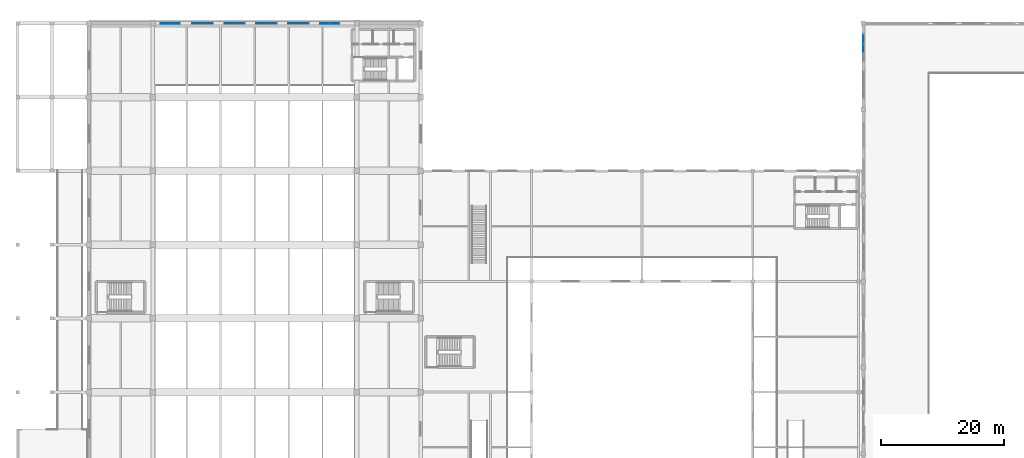
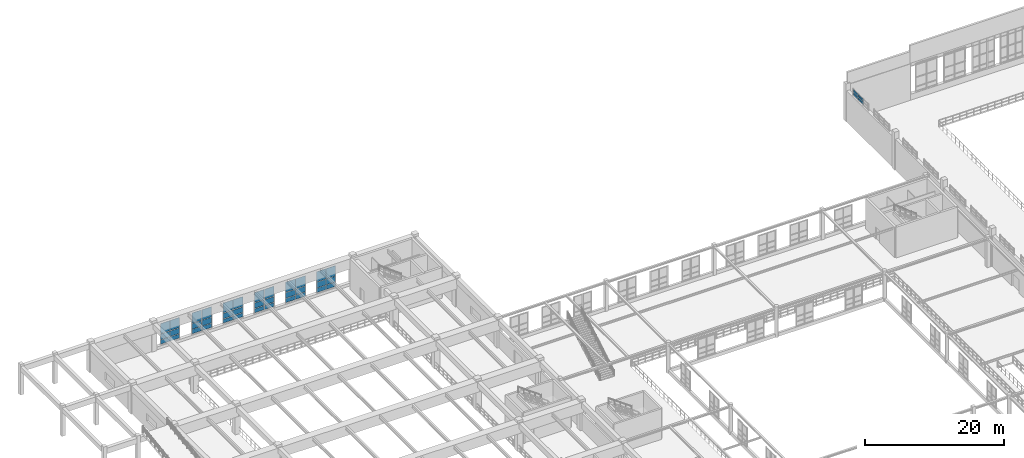
# One storey, part 167 of 197: 40 plates, 7 elements without a shape of their own.
"""IFC4 building model written with IfcOpenShell, lengths in metres."""

from ifc_helpers import new_model, si_unit, derived_unit, direction, frame, origin, origin_2d, place, context, subcontext, project, spatial, rectangle, extrude, material, layer, layer_set, type_object, element, aggregate, save


model = new_model("IFC4")

# Units and contexts
model_context = context("Model", 3, precision=1e-05, world=origin(), true_north=direction((0.0, 1.0)))
body_context = subcontext(model_context, "Body", "Model", "MODEL_VIEW")
ifc_project = project(units=[si_unit("LENGTHUNIT", "METRE"), si_unit("AREAUNIT", "SQUARE_METRE"), si_unit("VOLUMEUNIT", "CUBIC_METRE"), si_unit("PLANEANGLEUNIT", "RADIAN"), si_unit("MASSUNIT", "GRAM", prefix="KILO"), derived_unit("THERMALTRANSMITTANCEUNIT", [(si_unit("POWERUNIT", "WATT"), 1), (si_unit("LENGTHUNIT", "METRE"), -2), (si_unit("THERMODYNAMICTEMPERATUREUNIT", "KELVIN"), -1)])], contexts=[model_context])

# Site, building, storey
site_placement = place(None, origin())
site = spatial("IfcSite", under=ifc_project, at=site_placement, CompositionType="ELEMENT")
building_placement = place(site_placement, origin())
building = spatial("IfcBuilding", under=site, at=building_placement, Name="Almenara Railside Exhibition Hall", CompositionType="ELEMENT")
storey_placement = place(building_placement, frame((0.0, 0.0, 5.39990234375)))
storey = spatial("IfcBuildingStorey", under=building, at=storey_placement, Name="L01", CompositionType="ELEMENT", Elevation=5.39990234375)

# Curtain wall, plates
ifc_material_1 = material(Name="Bronze-anodised aluminium and low-E double glazing", Category="aluminium")
ifc_layer_1 = layer(ifc_material_1, 0.179931640625, Name="Bronze-anodised aluminium and low-E double glazing")
ifc_layer_set_1 = layer_set([ifc_layer_1], Name="Bronze-anodised aluminium and low-E double glazing")
curtain_wall_type_1 = type_object("IfcCurtainWallType", Name="Scroll Gable Mid Curtain Wall 3400x4400", PredefinedType="NOTDEFINED", material=ifc_layer_set_1)
curtain_wall_1_placement = place(storey_placement, origin())
curtain_wall_1 = element("IfcCurtainWall", 1, at=curtain_wall_1_placement, inside=storey, type_object=curtain_wall_type_1, Name="Curtain wall CW-G3-040", PredefinedType="NOTDEFINED")
ifc_material_2 = material(Name="Solar-control acoustic laminated glazing", Category="glass")
ifc_layer_2 = layer(ifc_material_2, 0.031982421875, Name="Solar-control acoustic laminated glazing")
ifc_layer_set_2 = layer_set([ifc_layer_2], Name="Solar-control acoustic laminated glazing")
plate_type_1 = type_object("IfcPlateType", Name="Acoustic Low-E Double Glazing Panel 32mm", PredefinedType="CURTAIN_PANEL", material=ifc_layer_set_2)
plate_1_placement = place(storey_placement, frame((34.867431640625, 132.0, 0.64404296875), z_axis=(0.0, 0.0, 1.0), x_axis=(1.0, 0.0, 0.0)))
plate_1 = element("IfcPlate", 2, at=plate_1_placement, type_object=plate_type_1, Name="CW-G3-040 panel 1.1", PredefinedType="CURTAIN_PANEL", context=body_context, shape_type="SweptSolid", body=[
    extrude(rectangle(XDim=1.611083984375, YDim=0.031982421875, at=origin_2d()), origin(), (0.0, 0.0, 1.0), 0.64208984375),
])
plate_2_placement = place(storey_placement, frame((34.867431640625, 132.0, 1.4140625), z_axis=(0.0, 0.0, 1.0), x_axis=(1.0, 0.0, 0.0)))
plate_2 = element("IfcPlate", 3, at=plate_2_placement, type_object=plate_type_1, Name="CW-G3-040 panel 1.2", PredefinedType="CURTAIN_PANEL", context=body_context, shape_type="SweptSolid", body=[
    extrude(rectangle(XDim=1.611083984375, YDim=0.031982421875, at=origin_2d()), origin(), (0.0, 0.0, 1.0), 0.922119140625),
])
plate_3_placement = place(storey_placement, frame((34.867431640625, 132.0, 2.464111328125), z_axis=(0.0, 0.0, 1.0), x_axis=(1.0, 0.0, 0.0)))
plate_3 = element("IfcPlate", 4, at=plate_3_placement, type_object=plate_type_1, Name="CW-G3-040 panel 1.3", PredefinedType="CURTAIN_PANEL", context=body_context, shape_type="SweptSolid", body=[
    extrude(rectangle(XDim=1.611083984375, YDim=0.031982421875, at=origin_2d()), origin(), (0.0, 0.0, 1.0), 1.69189453125),
])
plate_4_placement = place(storey_placement, frame((36.532470703125, 132.0, 0.64404296875), z_axis=(0.0, 0.0, 1.0), x_axis=(1.0, 0.0, 0.0)))
plate_4 = element("IfcPlate", 5, at=plate_4_placement, type_object=plate_type_1, Name="CW-G3-040 panel 2.1", PredefinedType="CURTAIN_PANEL", context=body_context, shape_type="SweptSolid", body=[
    extrude(rectangle(XDim=1.611083984375, YDim=0.031982421875, at=origin_2d()), origin(), (0.0, 0.0, 1.0), 0.64208984375),
])
plate_5_placement = place(storey_placement, frame((36.532470703125, 132.0, 1.4140625), z_axis=(0.0, 0.0, 1.0), x_axis=(1.0, 0.0, 0.0)))
plate_5 = element("IfcPlate", 6, at=plate_5_placement, type_object=plate_type_1, Name="CW-G3-040 panel 2.2", PredefinedType="CURTAIN_PANEL", context=body_context, shape_type="SweptSolid", body=[
    extrude(rectangle(XDim=1.611083984375, YDim=0.031982421875, at=origin_2d()), origin(), (0.0, 0.0, 1.0), 0.922119140625),
])
plate_6_placement = place(storey_placement, frame((36.532470703125, 132.0, 2.464111328125), z_axis=(0.0, 0.0, 1.0), x_axis=(1.0, 0.0, 0.0)))
plate_6 = element("IfcPlate", 7, at=plate_6_placement, type_object=plate_type_1, Name="CW-G3-040 panel 2.3", PredefinedType="CURTAIN_PANEL", context=body_context, shape_type="SweptSolid", body=[
    extrude(rectangle(XDim=1.611083984375, YDim=0.031982421875, at=origin_2d()), origin(), (0.0, 0.0, 1.0), 1.69189453125),
])
aggregate(curtain_wall_1, [plate_1, plate_2, plate_3, plate_4, plate_5, plate_6])

curtain_wall_2_placement = place(storey_placement, origin())
curtain_wall_2 = element("IfcCurtainWall", 8, at=curtain_wall_2_placement, inside=storey, type_object=curtain_wall_type_1, Name="Curtain wall CW-G3-042", PredefinedType="NOTDEFINED")
ifc_material_3 = material(Name="Clear low-E laminated double glazing", Category="glass")
ifc_layer_3 = layer(ifc_material_3, 0.02392578125, Name="Clear low-E laminated double glazing")
ifc_layer_set_3 = layer_set([ifc_layer_3], Name="Clear low-E laminated double glazing")
plate_type_2 = type_object("IfcPlateType", Name="Courtyard Clear Double Glazing Panel 24mm", PredefinedType="CURTAIN_PANEL", material=ifc_layer_set_3)
plate_7_placement = place(storey_placement, frame((45.264892578125, 132.0, 0.59423828125), z_axis=(0.0, 0.0, 1.0), x_axis=(1.0, 0.0, 0.0)))
plate_7 = element("IfcPlate", 9, at=plate_7_placement, type_object=plate_type_2, Name="CW-G3-042 panel 1.1", PredefinedType="CURTAIN_PANEL", context=body_context, shape_type="SweptSolid", body=[
    extrude(rectangle(XDim=1.6259765625, YDim=0.02392578125, at=origin_2d()), origin(), (0.0, 0.0, 1.0), 0.717041015625),
])
plate_8_placement = place(storey_placement, frame((45.264892578125, 132.0, 1.38916015625), z_axis=(0.0, 0.0, 1.0), x_axis=(1.0, 0.0, 0.0)))
plate_8 = element("IfcPlate", 10, at=plate_8_placement, type_object=plate_type_2, Name="CW-G3-042 panel 1.2", PredefinedType="CURTAIN_PANEL", context=body_context, shape_type="SweptSolid", body=[
    extrude(rectangle(XDim=1.6259765625, YDim=0.02392578125, at=origin_2d()), origin(), (0.0, 0.0, 1.0), 0.971923828125),
])
plate_9_placement = place(storey_placement, frame((45.264892578125, 132.0, 2.43896484375), z_axis=(0.0, 0.0, 1.0), x_axis=(1.0, 0.0, 0.0)))
plate_9 = element("IfcPlate", 11, at=plate_9_placement, type_object=plate_type_2, Name="CW-G3-042 panel 1.3", PredefinedType="CURTAIN_PANEL", context=body_context, shape_type="SweptSolid", body=[
    extrude(rectangle(XDim=1.6259765625, YDim=0.02392578125, at=origin_2d()), origin(), (0.0, 0.0, 1.0), 1.76708984375),
])
plate_10_placement = place(storey_placement, frame((46.93505859375, 132.0, 0.59423828125), z_axis=(0.0, 0.0, 1.0), x_axis=(1.0, 0.0, 0.0)))
plate_10 = element("IfcPlate", 12, at=plate_10_placement, type_object=plate_type_2, Name="CW-G3-042 panel 2.1", PredefinedType="CURTAIN_PANEL", context=body_context, shape_type="SweptSolid", body=[
    extrude(rectangle(XDim=1.6259765625, YDim=0.02392578125, at=origin_2d()), origin(), (0.0, 0.0, 1.0), 0.717041015625),
])
plate_11_placement = place(storey_placement, frame((46.93505859375, 132.0, 1.38916015625), z_axis=(0.0, 0.0, 1.0), x_axis=(1.0, 0.0, 0.0)))
plate_11 = element("IfcPlate", 13, at=plate_11_placement, type_object=plate_type_2, Name="CW-G3-042 panel 2.2", PredefinedType="CURTAIN_PANEL", context=body_context, shape_type="SweptSolid", body=[
    extrude(rectangle(XDim=1.6259765625, YDim=0.02392578125, at=origin_2d()), origin(), (0.0, 0.0, 1.0), 0.971923828125),
])
plate_12_placement = place(storey_placement, frame((46.93505859375, 132.0, 2.43896484375), z_axis=(0.0, 0.0, 1.0), x_axis=(1.0, 0.0, 0.0)))
plate_12 = element("IfcPlate", 14, at=plate_12_placement, type_object=plate_type_2, Name="CW-G3-042 panel 2.3", PredefinedType="CURTAIN_PANEL", context=body_context, shape_type="SweptSolid", body=[
    extrude(rectangle(XDim=1.6259765625, YDim=0.02392578125, at=origin_2d()), origin(), (0.0, 0.0, 1.0), 1.76708984375),
])
aggregate(curtain_wall_2, [plate_7, plate_8, plate_9, plate_10, plate_11, plate_12])

ifc_layer_4 = layer(ifc_material_1, 0.179931640625, Name="Bronze-anodised aluminium and low-E double glazing")
ifc_layer_set_4 = layer_set([ifc_layer_4], Name="Bronze-anodised aluminium and low-E double glazing")
curtain_wall_type_2 = type_object("IfcCurtainWallType", Name="Scroll Gable Side Curtain Wall 3200x3800", PredefinedType="NOTDEFINED", material=ifc_layer_set_4)
curtain_wall_3_placement = place(storey_placement, origin())
curtain_wall_3 = element("IfcCurtainWall", 15, at=curtain_wall_3_placement, inside=storey, type_object=curtain_wall_type_2, Name="Curtain wall CW-G4-038", PredefinedType="NOTDEFINED")
ifc_material_4 = material(Name="Bronze-anodised insulated aluminium spandrel", Category="aluminium")
ifc_layer_5 = layer(ifc_material_4, 0.0400390625, Name="Bronze-anodised insulated aluminium spandrel")
ifc_layer_set_5 = layer_set([ifc_layer_5], Name="Bronze-anodised insulated aluminium spandrel")
plate_type_3 = type_object("IfcPlateType", Name="Insulated Bronze Spandrel Panel 40mm", PredefinedType="CURTAIN_PANEL", material=ifc_layer_set_5)
plate_13_placement = place(storey_placement, frame((24.4150390625, 132.0, 0.59423828125), z_axis=(0.0, 0.0, 1.0), x_axis=(1.0, 0.0, 0.0)))
plate_13 = element("IfcPlate", 16, at=plate_13_placement, type_object=plate_type_3, Name="CW-G4-038 panel 1.1", PredefinedType="CURTAIN_PANEL", context=body_context, shape_type="SweptSolid", body=[
    extrude(rectangle(XDim=1.52587890625, YDim=0.0400390625, at=origin_2d()), origin(), (0.0, 0.0, 1.0), 0.717041015625),
])
plate_14_placement = place(storey_placement, frame((24.4150390625, 132.0, 1.38916015625), z_axis=(0.0, 0.0, 1.0), x_axis=(1.0, 0.0, 0.0)))
plate_14 = element("IfcPlate", 17, at=plate_14_placement, type_object=plate_type_3, Name="CW-G4-038 panel 1.2", PredefinedType="CURTAIN_PANEL", context=body_context, shape_type="SweptSolid", body=[
    extrude(rectangle(XDim=1.52587890625, YDim=0.0400390625, at=origin_2d()), origin(), (0.0, 0.0, 1.0), 0.971923828125),
])
plate_15_placement = place(storey_placement, frame((24.4150390625, 132.0, 2.43896484375), z_axis=(0.0, 0.0, 1.0), x_axis=(1.0, 0.0, 0.0)))
plate_15 = element("IfcPlate", 18, at=plate_15_placement, type_object=plate_type_3, Name="CW-G4-038 panel 1.3", PredefinedType="CURTAIN_PANEL", context=body_context, shape_type="SweptSolid", body=[
    extrude(rectangle(XDim=1.52587890625, YDim=0.0400390625, at=origin_2d()), origin(), (0.0, 0.0, 1.0), 1.76708984375),
])
plate_16_placement = place(storey_placement, frame((25.985107421875, 132.0, 0.59423828125), z_axis=(0.0, 0.0, 1.0), x_axis=(1.0, 0.0, 0.0)))
plate_16 = element("IfcPlate", 19, at=plate_16_placement, type_object=plate_type_3, Name="CW-G4-038 panel 2.1", PredefinedType="CURTAIN_PANEL", context=body_context, shape_type="SweptSolid", body=[
    extrude(rectangle(XDim=1.52587890625, YDim=0.0400390625, at=origin_2d()), origin(), (0.0, 0.0, 1.0), 0.717041015625),
])
plate_17_placement = place(storey_placement, frame((25.985107421875, 132.0, 1.38916015625), z_axis=(0.0, 0.0, 1.0), x_axis=(1.0, 0.0, 0.0)))
plate_17 = element("IfcPlate", 20, at=plate_17_placement, type_object=plate_type_3, Name="CW-G4-038 panel 2.2", PredefinedType="CURTAIN_PANEL", context=body_context, shape_type="SweptSolid", body=[
    extrude(rectangle(XDim=1.52587890625, YDim=0.0400390625, at=origin_2d()), origin(), (0.0, 0.0, 1.0), 0.971923828125),
])
plate_18_placement = place(storey_placement, frame((25.985107421875, 132.0, 2.43896484375), z_axis=(0.0, 0.0, 1.0), x_axis=(1.0, 0.0, 0.0)))
plate_18 = element("IfcPlate", 21, at=plate_18_placement, type_object=plate_type_3, Name="CW-G4-038 panel 2.3", PredefinedType="CURTAIN_PANEL", context=body_context, shape_type="SweptSolid", body=[
    extrude(rectangle(XDim=1.52587890625, YDim=0.0400390625, at=origin_2d()), origin(), (0.0, 0.0, 1.0), 1.76708984375),
])
aggregate(curtain_wall_3, [plate_13, plate_14, plate_15, plate_16, plate_17, plate_18])

curtain_wall_4_placement = place(storey_placement, origin())
curtain_wall_4 = element("IfcCurtainWall", 22, at=curtain_wall_4_placement, inside=storey, type_object=curtain_wall_type_2, Name="Curtain wall CW-G4-043", PredefinedType="NOTDEFINED")
plate_19_placement = place(storey_placement, frame((50.413818359375, 132.0, 0.573974609375), z_axis=(0.0, 0.0, 1.0), x_axis=(1.0, 0.0, 0.0)))
plate_19 = element("IfcPlate", 23, at=plate_19_placement, type_object=plate_type_3, Name="CW-G4-043 panel 1.1", PredefinedType="CURTAIN_PANEL", context=body_context, shape_type="SweptSolid", body=[
    extrude(rectangle(XDim=1.533447265625, YDim=0.0400390625, at=origin_2d()), origin(), (0.0, 0.0, 1.0), 0.7470703125),
])
plate_20_placement = place(storey_placement, frame((50.413818359375, 132.0, 1.37890625), z_axis=(0.0, 0.0, 1.0), x_axis=(1.0, 0.0, 0.0)))
plate_20 = element("IfcPlate", 24, at=plate_20_placement, type_object=plate_type_3, Name="CW-G4-043 panel 1.2", PredefinedType="CURTAIN_PANEL", context=body_context, shape_type="SweptSolid", body=[
    extrude(rectangle(XDim=1.533447265625, YDim=0.0400390625, at=origin_2d()), origin(), (0.0, 0.0, 1.0), 0.991943359375),
])
plate_21_placement = place(storey_placement, frame((50.413818359375, 132.0, 2.42919921875), z_axis=(0.0, 0.0, 1.0), x_axis=(1.0, 0.0, 0.0)))
plate_21 = element("IfcPlate", 25, at=plate_21_placement, type_object=plate_type_3, Name="CW-G4-043 panel 1.3", PredefinedType="CURTAIN_PANEL", context=body_context, shape_type="SweptSolid", body=[
    extrude(rectangle(XDim=1.533447265625, YDim=0.0400390625, at=origin_2d()), origin(), (0.0, 0.0, 1.0), 1.797119140625),
])
plate_22_placement = place(storey_placement, frame((51.986328125, 132.0, 0.573974609375), z_axis=(0.0, 0.0, 1.0), x_axis=(1.0, 0.0, 0.0)))
plate_22 = element("IfcPlate", 26, at=plate_22_placement, type_object=plate_type_3, Name="CW-G4-043 panel 2.1", PredefinedType="CURTAIN_PANEL", context=body_context, shape_type="SweptSolid", body=[
    extrude(rectangle(XDim=1.533447265625, YDim=0.0400390625, at=origin_2d()), origin(), (0.0, 0.0, 1.0), 0.7470703125),
])
plate_23_placement = place(storey_placement, frame((51.986328125, 132.0, 1.37890625), z_axis=(0.0, 0.0, 1.0), x_axis=(1.0, 0.0, 0.0)))
plate_23 = element("IfcPlate", 27, at=plate_23_placement, type_object=plate_type_3, Name="CW-G4-043 panel 2.2", PredefinedType="CURTAIN_PANEL", context=body_context, shape_type="SweptSolid", body=[
    extrude(rectangle(XDim=1.533447265625, YDim=0.0400390625, at=origin_2d()), origin(), (0.0, 0.0, 1.0), 0.991943359375),
])
plate_24_placement = place(storey_placement, frame((51.986328125, 132.0, 2.42919921875), z_axis=(0.0, 0.0, 1.0), x_axis=(1.0, 0.0, 0.0)))
plate_24 = element("IfcPlate", 28, at=plate_24_placement, type_object=plate_type_3, Name="CW-G4-043 panel 2.3", PredefinedType="CURTAIN_PANEL", context=body_context, shape_type="SweptSolid", body=[
    extrude(rectangle(XDim=1.533447265625, YDim=0.0400390625, at=origin_2d()), origin(), (0.0, 0.0, 1.0), 1.797119140625),
])
aggregate(curtain_wall_4, [plate_19, plate_20, plate_21, plate_22, plate_23, plate_24])

curtain_wall_5_placement = place(storey_placement, origin())
curtain_wall_5 = element("IfcCurtainWall", 29, at=curtain_wall_5_placement, inside=storey, type_object=curtain_wall_type_1, Name="Curtain wall CW-G3-039", PredefinedType="NOTDEFINED")
ifc_layer_6 = layer(ifc_material_4, 0.034912109375, Name="Bronze-anodised insulated aluminium spandrel")
ifc_layer_set_6 = layer_set([ifc_layer_6], Name="Bronze-anodised insulated aluminium spandrel")
plate_type_4 = type_object("IfcPlateType", Name="Insulated Stucco-Tone Spandrel Panel 35mm", PredefinedType="CURTAIN_PANEL", material=ifc_layer_set_6)
plate_25_placement = place(storey_placement, frame((29.663818359375, 132.0, 0.573974609375), z_axis=(0.0, 0.0, 1.0), x_axis=(1.0, 0.0, 0.0)))
plate_25 = element("IfcPlate", 30, at=plate_25_placement, type_object=plate_type_4, Name="CW-G3-039 panel 1.1", PredefinedType="CURTAIN_PANEL", context=body_context, shape_type="SweptSolid", body=[
    extrude(rectangle(XDim=1.633544921875, YDim=0.034912109375, at=origin_2d()), origin(), (0.0, 0.0, 1.0), 0.7470703125),
])
plate_26_placement = place(storey_placement, frame((29.663818359375, 132.0, 1.37890625), z_axis=(0.0, 0.0, 1.0), x_axis=(1.0, 0.0, 0.0)))
plate_26 = element("IfcPlate", 31, at=plate_26_placement, type_object=plate_type_4, Name="CW-G3-039 panel 1.2", PredefinedType="CURTAIN_PANEL", context=body_context, shape_type="SweptSolid", body=[
    extrude(rectangle(XDim=1.633544921875, YDim=0.034912109375, at=origin_2d()), origin(), (0.0, 0.0, 1.0), 0.991943359375),
])
plate_27_placement = place(storey_placement, frame((29.663818359375, 132.0, 2.42919921875), z_axis=(0.0, 0.0, 1.0), x_axis=(1.0, 0.0, 0.0)))
plate_27 = element("IfcPlate", 32, at=plate_27_placement, type_object=plate_type_4, Name="CW-G3-039 panel 1.3", PredefinedType="CURTAIN_PANEL", context=body_context, shape_type="SweptSolid", body=[
    extrude(rectangle(XDim=1.633544921875, YDim=0.034912109375, at=origin_2d()), origin(), (0.0, 0.0, 1.0), 1.797119140625),
])
plate_28_placement = place(storey_placement, frame((31.336181640625, 132.0, 0.573974609375), z_axis=(0.0, 0.0, 1.0), x_axis=(1.0, 0.0, 0.0)))
plate_28 = element("IfcPlate", 33, at=plate_28_placement, type_object=plate_type_4, Name="CW-G3-039 panel 2.1", PredefinedType="CURTAIN_PANEL", context=body_context, shape_type="SweptSolid", body=[
    extrude(rectangle(XDim=1.633544921875, YDim=0.034912109375, at=origin_2d()), origin(), (0.0, 0.0, 1.0), 0.7470703125),
])
plate_29_placement = place(storey_placement, frame((31.336181640625, 132.0, 1.37890625), z_axis=(0.0, 0.0, 1.0), x_axis=(1.0, 0.0, 0.0)))
plate_29 = element("IfcPlate", 34, at=plate_29_placement, type_object=plate_type_4, Name="CW-G3-039 panel 2.2", PredefinedType="CURTAIN_PANEL", context=body_context, shape_type="SweptSolid", body=[
    extrude(rectangle(XDim=1.633544921875, YDim=0.034912109375, at=origin_2d()), origin(), (0.0, 0.0, 1.0), 0.991943359375),
])
plate_30_placement = place(storey_placement, frame((31.336181640625, 132.0, 2.42919921875), z_axis=(0.0, 0.0, 1.0), x_axis=(1.0, 0.0, 0.0)))
plate_30 = element("IfcPlate", 35, at=plate_30_placement, type_object=plate_type_4, Name="CW-G3-039 panel 2.3", PredefinedType="CURTAIN_PANEL", context=body_context, shape_type="SweptSolid", body=[
    extrude(rectangle(XDim=1.633544921875, YDim=0.034912109375, at=origin_2d()), origin(), (0.0, 0.0, 1.0), 1.797119140625),
])
aggregate(curtain_wall_5, [plate_25, plate_26, plate_27, plate_28, plate_29, plate_30])

curtain_wall_6_placement = place(storey_placement, origin())
curtain_wall_6 = element("IfcCurtainWall", 36, at=curtain_wall_6_placement, inside=storey, type_object=curtain_wall_type_1, Name="Curtain wall CW-G3-041", PredefinedType="NOTDEFINED")
ifc_material_5 = material(Name="Solar-control low-E laminated double glazing", Category="glass")
ifc_layer_7 = layer(ifc_material_5, 0.028076171875, Name="Solar-control low-E laminated double glazing")
ifc_layer_set_7 = layer_set([ifc_layer_7], Name="Solar-control low-E laminated double glazing")
plate_type_5 = type_object("IfcPlateType", Name="Low-E Solar Control Double Glazing Panel 28mm", PredefinedType="CURTAIN_PANEL", material=ifc_layer_set_7)
plate_31_placement = place(storey_placement, frame((40.066162109375, 132.0, 0.6240234375), z_axis=(0.0, 0.0, 1.0), x_axis=(1.0, 0.0, 0.0)))
plate_31 = element("IfcPlate", 37, at=plate_31_placement, type_object=plate_type_5, Name="CW-G3-041 panel 1.1", PredefinedType="CURTAIN_PANEL", context=body_context, shape_type="SweptSolid", body=[
    extrude(rectangle(XDim=1.618408203125, YDim=0.028076171875, at=origin_2d()), origin(), (0.0, 0.0, 1.0), 0.672119140625),
])
plate_32_placement = place(storey_placement, frame((40.066162109375, 132.0, 1.404052734375), z_axis=(0.0, 0.0, 1.0), x_axis=(1.0, 0.0, 0.0)))
plate_32 = element("IfcPlate", 38, at=plate_32_placement, type_object=plate_type_5, Name="CW-G3-041 panel 1.2", PredefinedType="CURTAIN_PANEL", context=body_context, shape_type="SweptSolid", body=[
    extrude(rectangle(XDim=1.618408203125, YDim=0.028076171875, at=origin_2d()), origin(), (0.0, 0.0, 1.0), 0.94189453125),
])
plate_33_placement = place(storey_placement, frame((40.066162109375, 132.0, 2.4541015625), z_axis=(0.0, 0.0, 1.0), x_axis=(1.0, 0.0, 0.0)))
plate_33 = element("IfcPlate", 39, at=plate_33_placement, type_object=plate_type_5, Name="CW-G3-041 panel 1.3", PredefinedType="CURTAIN_PANEL", context=body_context, shape_type="SweptSolid", body=[
    extrude(rectangle(XDim=1.618408203125, YDim=0.028076171875, at=origin_2d()), origin(), (0.0, 0.0, 1.0), 1.721923828125),
])
plate_34_placement = place(storey_placement, frame((41.733642578125, 132.0, 0.6240234375), z_axis=(0.0, 0.0, 1.0), x_axis=(1.0, 0.0, 0.0)))
plate_34 = element("IfcPlate", 40, at=plate_34_placement, type_object=plate_type_5, Name="CW-G3-041 panel 2.1", PredefinedType="CURTAIN_PANEL", context=body_context, shape_type="SweptSolid", body=[
    extrude(rectangle(XDim=1.618408203125, YDim=0.028076171875, at=origin_2d()), origin(), (0.0, 0.0, 1.0), 0.672119140625),
])
plate_35_placement = place(storey_placement, frame((41.733642578125, 132.0, 1.404052734375), z_axis=(0.0, 0.0, 1.0), x_axis=(1.0, 0.0, 0.0)))
plate_35 = element("IfcPlate", 41, at=plate_35_placement, type_object=plate_type_5, Name="CW-G3-041 panel 2.2", PredefinedType="CURTAIN_PANEL", context=body_context, shape_type="SweptSolid", body=[
    extrude(rectangle(XDim=1.618408203125, YDim=0.028076171875, at=origin_2d()), origin(), (0.0, 0.0, 1.0), 0.94189453125),
])
plate_36_placement = place(storey_placement, frame((41.733642578125, 132.0, 2.4541015625), z_axis=(0.0, 0.0, 1.0), x_axis=(1.0, 0.0, 0.0)))
plate_36 = element("IfcPlate", 42, at=plate_36_placement, type_object=plate_type_5, Name="CW-G3-041 panel 2.3", PredefinedType="CURTAIN_PANEL", context=body_context, shape_type="SweptSolid", body=[
    extrude(rectangle(XDim=1.618408203125, YDim=0.028076171875, at=origin_2d()), origin(), (0.0, 0.0, 1.0), 1.721923828125),
])
aggregate(curtain_wall_6, [plate_31, plate_32, plate_33, plate_34, plate_35, plate_36])

ifc_layer_8 = layer(ifc_material_1, 0.179931640625, Name="Bronze-anodised aluminium and low-E double glazing")
ifc_layer_set_8 = layer_set([ifc_layer_8], Name="Bronze-anodised aluminium and low-E double glazing")
curtain_wall_type_3 = type_object("IfcCurtainWallType", Name="East Hall Clerestory Curtain Wall 4400x2300", PredefinedType="NOTDEFINED", material=ifc_layer_set_8)
curtain_wall_7_placement = place(storey_placement, origin())
curtain_wall_7 = element("IfcCurtainWall", 43, at=curtain_wall_7_placement, inside=storey, type_object=curtain_wall_type_3, Name="Curtain wall CW-CL3-076", PredefinedType="NOTDEFINED")
plate_37_placement = place(storey_placement, frame((138.0, 128.0, 5.57421875), z_axis=(0.0, 0.0, 1.0), x_axis=(0.0, 1.0, 0.0)))
plate_37 = element("IfcPlate", 44, at=plate_37_placement, type_object=plate_type_5, Name="CW-CL3-076 panel 2.1", PredefinedType="CURTAIN_PANEL", context=body_context, shape_type="SweptSolid", body=[
    extrude(rectangle(XDim=1.417724609375, YDim=0.028076171875, at=origin_2d()), origin(), (0.0, 0.0, 1.0), 0.422119140625),
])
plate_38_placement = place(storey_placement, frame((138.0, 128.0, 6.10400390625), z_axis=(0.0, 0.0, 1.0), x_axis=(0.0, 1.0, 0.0)))
plate_38 = element("IfcPlate", 45, at=plate_38_placement, type_object=plate_type_5, Name="CW-CL3-076 panel 2.2", PredefinedType="CURTAIN_PANEL", context=body_context, shape_type="SweptSolid", body=[
    extrude(rectangle(XDim=1.417724609375, YDim=0.028076171875, at=origin_2d()), origin(), (0.0, 0.0, 1.0), 0.422119140625),
])
plate_39_placement = place(storey_placement, frame((138.0, 129.450439453125, 5.57421875), z_axis=(0.0, 0.0, 1.0), x_axis=(0.0, 1.0, 0.0)))
plate_39 = element("IfcPlate", 46, at=plate_39_placement, type_object=plate_type_5, Name="CW-CL3-076 panel 3.1", PredefinedType="CURTAIN_PANEL", context=body_context, shape_type="SweptSolid", body=[
    extrude(rectangle(XDim=1.38525390625, YDim=0.028076171875, at=origin_2d()), origin(), (0.0, 0.0, 1.0), 0.422119140625),
])
plate_40_placement = place(storey_placement, frame((138.0, 129.450439453125, 6.10400390625), z_axis=(0.0, 0.0, 1.0), x_axis=(0.0, 1.0, 0.0)))
plate_40 = element("IfcPlate", 47, at=plate_40_placement, type_object=plate_type_5, Name="CW-CL3-076 panel 3.2", PredefinedType="CURTAIN_PANEL", context=body_context, shape_type="SweptSolid", body=[
    extrude(rectangle(XDim=1.38525390625, YDim=0.028076171875, at=origin_2d()), origin(), (0.0, 0.0, 1.0), 0.422119140625),
])
aggregate(curtain_wall_7, [plate_37, plate_38, plate_39, plate_40])

save(model, "model.ifc")
